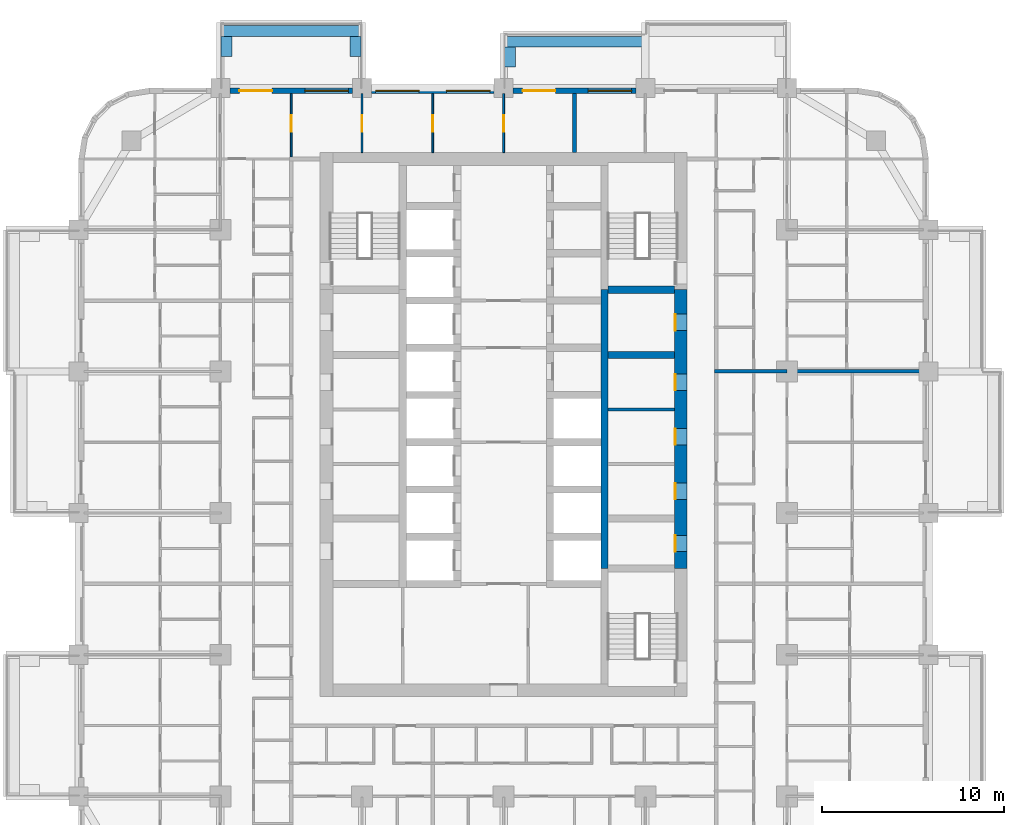
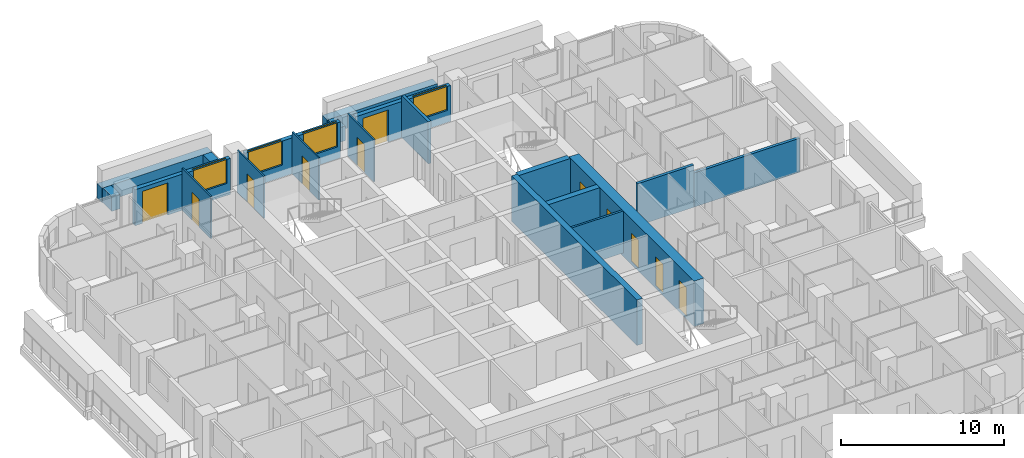
# One storey, part 12 of 18: 20 walls, 11 doors, 4 windows, 15 openings.
"""IFC4 building model written with IfcOpenShell, lengths in metres."""

from ifc_helpers import new_model, si_unit, direction, frame, frame_2d, origin, place, context, subcontext, project, spatial, rectangle, extrude, material, layer, layer_set, type_object, element, fill, save


model = new_model("IFC4")

# Units and contexts
model_context = context("Model", 3, precision=1e-05, world=origin(), true_north=direction((0.0, 1.0)))
body_context = subcontext(model_context, "Body", "Model", "MODEL_VIEW")
ifc_project = project(units=[si_unit("LENGTHUNIT", "METRE"), si_unit("AREAUNIT", "SQUARE_METRE"), si_unit("VOLUMEUNIT", "CUBIC_METRE"), si_unit("PLANEANGLEUNIT", "RADIAN"), si_unit("MASSUNIT", "GRAM", prefix="KILO")], contexts=[model_context])

# Site, building, storey
site_placement = place(None, origin())
site = spatial("IfcSite", under=ifc_project, at=site_placement, CompositionType="ELEMENT")
building_placement = place(site_placement, origin())
building = spatial("IfcBuilding", under=site, at=building_placement, Name="Ludao Terraces", CompositionType="ELEMENT")
storey_placement = place(building_placement, frame((0.0, 0.0, 29.699951171875)))
storey = spatial("IfcBuildingStorey", under=building, at=storey_placement, Name="L07", CompositionType="ELEMENT", Elevation=29.699951171875)

# Wall, openings, doors
ifc_material_1 = material(Name="Concrete C70", Category="concrete")
ifc_layer_1 = layer(ifc_material_1, 0.699951171875)
ifc_layer_set_1 = layer_set([ifc_layer_1], Name="Core wall 700 C70")
wall_type_1 = type_object("IfcWallType", Name="Core wall 700 C70", PredefinedType="SOLIDWALL", material=ifc_layer_set_1)
wall_1_placement = place(storey_placement, frame((94.75, 61.949951171875, -0.25), z_axis=(0.0, 0.0, 1.0), x_axis=(0.0, 1.0, 0.0)))
wall_1 = element("IfcWall", 1, at=wall_1_placement, inside=storey, type_object=wall_type_1, Name="Core wall L07 outer-E", PredefinedType="SOLIDWALL", context=body_context, shape_type="SweptSolid", body=[
    extrude(rectangle(XDim=15.35009765625, YDim=0.699951171875, at=frame_2d((7.675048828125, 0.0))), origin(), (0.0, 0.0, 1.0), 3.400146484375),
])
opening_1_placement = place(wall_1_placement, frame((0.925048828125, 0.0, 0.25)))
opening_1 = element("IfcOpeningElement", 2, at=opening_1_placement, cuts=wall_1, Name="Opening R02-078", PredefinedType="OPENING", context=body_context, shape_type="SweptSolid", body=[
    extrude(rectangle(XDim=0.89990234375, YDim=2.10009765625, at=frame_2d((0.449951171875, 1.050048828125))), frame((0.0, 0.35986328125, 0.0), z_axis=(0.0, -1.0, 0.0), x_axis=(1.0, 0.0, 0.0)), (0.0, 0.0, 1.0), 0.719970703125),
])
opening_2_placement = place(wall_1_placement, frame((3.800048828125, 0.0, 0.25)))
opening_2 = element("IfcOpeningElement", 3, at=opening_2_placement, cuts=wall_1, Name="Opening R02-087", PredefinedType="OPENING", context=body_context, shape_type="SweptSolid", body=[
    extrude(rectangle(XDim=0.89990234375, YDim=2.10009765625, at=frame_2d((0.449951171875, 1.050048828125))), frame((0.0, 0.35986328125, 0.0), z_axis=(0.0, -1.0, 0.0), x_axis=(1.0, 0.0, 0.0)), (0.0, 0.0, 1.0), 0.719970703125),
])
opening_3_placement = place(wall_1_placement, frame((6.800048828125, 0.0, 0.25)))
opening_3 = element("IfcOpeningElement", 4, at=opening_3_placement, cuts=wall_1, Name="Opening R02-099", PredefinedType="OPENING", context=body_context, shape_type="SweptSolid", body=[
    extrude(rectangle(XDim=0.89990234375, YDim=2.10009765625, at=frame_2d((0.449951171875, 1.050048828125))), frame((0.0, 0.35986328125, 0.0), z_axis=(0.0, -1.0, 0.0), x_axis=(1.0, 0.0, 0.0)), (0.0, 0.0, 1.0), 0.719970703125),
])
opening_4_placement = place(wall_1_placement, frame((9.800048828125, 0.0, 0.25)))
opening_4 = element("IfcOpeningElement", 5, at=opening_4_placement, cuts=wall_1, Name="Opening R02-109", PredefinedType="OPENING", context=body_context, shape_type="SweptSolid", body=[
    extrude(rectangle(XDim=0.89990234375, YDim=2.10009765625, at=frame_2d((0.449951171875, 1.050048828125))), frame((0.0, 0.35986328125, 0.0), z_axis=(0.0, -1.0, 0.0), x_axis=(1.0, 0.0, 0.0)), (0.0, 0.0, 1.0), 0.719970703125),
])
opening_5_placement = place(wall_1_placement, frame((13.10009765625, 0.0, 0.25)))
opening_5 = element("IfcOpeningElement", 6, at=opening_5_placement, cuts=wall_1, Name="Opening R02-121", PredefinedType="OPENING", context=body_context, shape_type="SweptSolid", body=[
    extrude(rectangle(XDim=0.89990234375, YDim=2.10009765625, at=frame_2d((0.449951171875, 1.050048828125))), frame((0.0, 0.35986328125, 0.0), z_axis=(0.0, -1.0, 0.0), x_axis=(1.0, 0.0, 0.0)), (0.0, 0.0, 1.0), 0.719970703125),
])
ifc_material_2 = material(Name="Steel Q235", Category="steel")
door_type_1 = type_object("IfcDoorType", Name="INT Riser door 900", OperationType="SINGLE_SWING_LEFT", PredefinedType="DOOR", material=ifc_material_2)
door_1_placement = place(opening_1_placement, origin())
door_1 = element("IfcDoor", 7, at=door_1_placement, inside=storey, type_object=door_type_1, Name="DOOR 078", OperationType="SINGLE_SWING_RIGHT", OverallHeight=2.10009765625, OverallWidth=0.89990234375, PredefinedType="DOOR", context=body_context, shape_type="SweptSolid", body=[
    extrude(rectangle(XDim=0.89990234375, YDim=2.10009765625, at=frame_2d((0.449951171875, 1.050048828125))), frame((0.0, 0.3349609375, 0.0), z_axis=(0.0, -1.0, 0.0), x_axis=(1.0, 0.0, 0.0)), (0.0, 0.0, 1.0), 0.050048828125),
])
fill(opening_1, door_1)
door_2_placement = place(opening_5_placement, origin())
door_2 = element("IfcDoor", 8, at=door_2_placement, inside=storey, type_object=door_type_1, Name="DOOR 121", OperationType="SINGLE_SWING_LEFT", OverallHeight=2.10009765625, OverallWidth=0.89990234375, PredefinedType="DOOR", context=body_context, shape_type="SweptSolid", body=[
    extrude(rectangle(XDim=0.89990234375, YDim=2.10009765625, at=frame_2d((0.449951171875, 1.050048828125))), frame((0.0, 0.3349609375, 0.0), z_axis=(0.0, -1.0, 0.0), x_axis=(1.0, 0.0, 0.0)), (0.0, 0.0, 1.0), 0.050048828125),
])
fill(opening_5, door_2)
ifc_material_3 = material(Name="Timber door leaf", Category="wood")
door_type_2 = type_object("IfcDoorType", Name="INT Room door 900", OperationType="SINGLE_SWING_LEFT", PredefinedType="DOOR", material=ifc_material_3)
door_3_placement = place(opening_2_placement, origin())
door_3 = element("IfcDoor", 9, at=door_3_placement, inside=storey, type_object=door_type_2, Name="DOOR 087", OperationType="SINGLE_SWING_LEFT", OverallHeight=2.10009765625, OverallWidth=0.89990234375, PredefinedType="DOOR", context=body_context, shape_type="SweptSolid", body=[
    extrude(rectangle(XDim=0.89990234375, YDim=2.10009765625, at=frame_2d((0.449951171875, 1.050048828125))), frame((0.0, 0.3349609375, 0.0), z_axis=(0.0, -1.0, 0.0), x_axis=(1.0, 0.0, 0.0)), (0.0, 0.0, 1.0), 0.050048828125),
])
fill(opening_2, door_3)
door_4_placement = place(opening_3_placement, origin())
door_4 = element("IfcDoor", 10, at=door_4_placement, inside=storey, type_object=door_type_2, Name="DOOR 099", OperationType="SINGLE_SWING_LEFT", OverallHeight=2.10009765625, OverallWidth=0.89990234375, PredefinedType="DOOR", context=body_context, shape_type="SweptSolid", body=[
    extrude(rectangle(XDim=0.89990234375, YDim=2.10009765625, at=frame_2d((0.449951171875, 1.050048828125))), frame((0.0, 0.3349609375, 0.0), z_axis=(0.0, -1.0, 0.0), x_axis=(1.0, 0.0, 0.0)), (0.0, 0.0, 1.0), 0.050048828125),
])
fill(opening_3, door_4)
door_5_placement = place(opening_4_placement, origin())
door_5 = element("IfcDoor", 11, at=door_5_placement, inside=storey, type_object=door_type_2, Name="DOOR 109", OperationType="SINGLE_SWING_RIGHT", OverallHeight=2.10009765625, OverallWidth=0.89990234375, PredefinedType="DOOR", context=body_context, shape_type="SweptSolid", body=[
    extrude(rectangle(XDim=0.89990234375, YDim=2.10009765625, at=frame_2d((0.449951171875, 1.050048828125))), frame((0.0, 0.3349609375, 0.0), z_axis=(0.0, -1.0, 0.0), x_axis=(1.0, 0.0, 0.0)), (0.0, 0.0, 1.0), 0.050048828125),
])
fill(opening_4, door_5)

# Walls
ifc_material_4 = material(Name="Concrete C40", Category="concrete")
ifc_layer_2 = layer(ifc_material_4, 0.60009765625)
ifc_layer_set_2 = layer_set([ifc_layer_2], Name="ENV Planter trough 600")
wall_type_2 = type_object("IfcWallType", Name="ENV Planter trough 600", PredefinedType="USERDEFINED", material=ifc_layer_set_2)
wall_2_placement = place(storey_placement, frame((69.39990234375, 91.550048828125, 0.0), z_axis=(0.0, 0.0, 1.0), x_axis=(1.0, 0.0, 0.0)))
element("IfcWall", 12, at=wall_2_placement, inside=storey, type_object=wall_type_2, Name="PL-L07-N1", ObjectType="PLANTER", PredefinedType="USERDEFINED", context=body_context, shape_type="SweptSolid", body=[
    extrude(rectangle(XDim=7.800048828125, YDim=0.60009765625, at=frame_2d((3.89990234375, 0.0))), origin(), (0.0, 0.0, 1.0), 1.10009765625),
])
for number, where, z_axis, x_axis, name in (
    (13, (69.75, 91.25, 0.0), (0.0, 0.0, 1.0), (0.0, -1.0, 0.0), "PL-L07-N1-SA"),
    (14, (76.85009765625, 91.25, 0.0), (0.0, 0.0, 1.0), (0.0, -1.0, 0.0), "PL-L07-N1-SB"),
):
    element("IfcWall", number, at=place(storey_placement, frame(where, z_axis=z_axis, x_axis=x_axis)), inside=storey, type_object=wall_type_2, Name=name, ObjectType="PLANTER", PredefinedType="USERDEFINED", context=body_context, shape_type="SweptSolid", body=[
        extrude(rectangle(XDim=1.10009765625, YDim=0.60009765625, at=frame_2d((0.550048828125, 0.0))), origin(), (0.0, 0.0, 1.0), 1.10009765625),
    ])
wall_3_placement = place(storey_placement, frame((85.0, 90.949951171875, 0.0), z_axis=(0.0, 0.0, 1.0), x_axis=(1.0, 0.0, 0.0)))
element("IfcWall", 15, at=wall_3_placement, inside=storey, type_object=wall_type_2, Name="PL-L07-N3", ObjectType="PLANTER", PredefinedType="USERDEFINED", context=body_context, shape_type="SweptSolid", body=[
    extrude(rectangle(XDim=7.800048828125, YDim=0.60009765625, at=frame_2d((3.89990234375, 0.0))), origin(), (0.0, 0.0, 1.0), 1.10009765625),
])
wall_4_placement = place(storey_placement, frame((85.35009765625, 90.64990234375, 0.0), z_axis=(0.0, 0.0, 1.0), x_axis=(0.0, -1.0, 0.0)))
element("IfcWall", 16, at=wall_4_placement, inside=storey, type_object=wall_type_2, Name="PL-L07-N3-SA", ObjectType="PLANTER", PredefinedType="USERDEFINED", context=body_context, shape_type="SweptSolid", body=[
    extrude(rectangle(XDim=1.099853515625, YDim=0.60009765625, at=frame_2d((0.5498046875, 0.0))), origin(), (0.0, 0.0, 1.0), 1.10009765625),
])

# Wall, openings, door, window
ifc_material_5 = material(Name="Granite cladding", Category="masonry")
ifc_layer_3 = layer(ifc_material_5, 0.0400390625, Category="stone")
ifc_material_6 = material(Name="Mineral wool")
ifc_layer_4 = layer(ifc_material_6, 0.06005859375)
ifc_layer_5 = layer(ifc_material_4, 0.199951171875, Category="concrete")
ifc_layer_set_3 = layer_set([ifc_layer_3, ifc_layer_4, ifc_layer_5], Name="ENV Stone-clad wall 300")
wall_type_3 = type_object("IfcWallType", Name="ENV Stone-clad wall 300", PredefinedType="SOLIDWALL", material=ifc_layer_set_3)
wall_5_placement = place(storey_placement, frame((69.925048828125, 88.25, 0.0), z_axis=(0.0, 0.0, 1.0), x_axis=(1.0, 0.0, 0.0)))
wall_5 = element("IfcWall", 17, at=wall_5_placement, inside=storey, type_object=wall_type_3, Name="EW-L07-N2", PredefinedType="SOLIDWALL", context=body_context, shape_type="SweptSolid", body=[
    extrude(rectangle(XDim=6.75, YDim=0.300048828125, at=frame_2d((3.375, 0.0))), origin(), (0.0, 0.0, 1.0), 2.699951171875),
])
opening_6_placement = place(wall_5_placement, frame((0.52490234375, 0.0, 0.0)))
opening_6 = element("IfcOpeningElement", 18, at=opening_6_placement, cuts=wall_5, Name="Opening BD", PredefinedType="OPENING", context=body_context, shape_type="SweptSolid", body=[
    extrude(rectangle(XDim=1.800048828125, YDim=2.39990234375, at=frame_2d((0.89990234375, 1.199951171875))), frame((0.0, 0.16015625, 0.0), z_axis=(0.0, -1.0, 0.0), x_axis=(1.0, 0.0, 0.0)), (0.0, 0.0, 1.0), 0.320068359375),
])
opening_7_placement = place(wall_5_placement, frame((4.125, 0.0, 0.89990234375)))
opening_7 = element("IfcOpeningElement", 19, at=opening_7_placement, cuts=wall_5, Name="Opening W1", PredefinedType="OPENING", context=body_context, shape_type="SweptSolid", body=[
    extrude(rectangle(XDim=2.39990234375, YDim=1.800048828125, at=frame_2d((1.199951171875, 0.89990234375))), frame((0.0, 0.16015625, 0.0), z_axis=(0.0, -1.0, 0.0), x_axis=(1.0, 0.0, 0.0)), (0.0, 0.0, 1.0), 0.320068359375),
])
ifc_material_7 = material(Name="Aluminium glazed door", Category="aluminium")
ifc_layer_6 = layer(ifc_material_7, 0.06005859375)
ifc_layer_set_4 = layer_set([ifc_layer_6], Name="ENV Balcony door BD 1800x2400")
door_type_3 = type_object("IfcDoorType", Name="ENV Balcony door BD 1800x2400", OperationType="DOUBLE_DOOR_SINGLE_SWING", PredefinedType="DOOR", material=ifc_layer_set_4)
door_6_placement = place(opening_6_placement, origin())
door_6 = element("IfcDoor", 20, at=door_6_placement, inside=storey, type_object=door_type_3, Name="BD-L07-N2-1", OperationType="DOUBLE_DOOR_SINGLE_SWING", OverallHeight=2.39990234375, OverallWidth=1.800048828125, PredefinedType="DOOR", context=body_context, shape_type="SweptSolid", body=[
    extrude(rectangle(XDim=1.800048828125, YDim=2.39990234375, at=frame_2d((0.89990234375, 1.199951171875))), frame((0.0, 0.02490234375, 0.0), z_axis=(0.0, -1.0, 0.0), x_axis=(1.0, 0.0, 0.0)), (0.0, 0.0, 1.0), 0.050048828125),
])
fill(opening_6, door_6)
ifc_material_8 = material(Name="Clear glass in aluminium frame", Category="aluminium")
ifc_layer_7 = layer(ifc_material_8, 0.06005859375)
ifc_layer_set_5 = layer_set([ifc_layer_7], Name="ENV Window W1 2400x1800")
window_type = type_object("IfcWindowType", Name="ENV Window W1 2400x1800", PartitioningType="DOUBLE_PANEL_VERTICAL", PredefinedType="WINDOW", material=ifc_layer_set_5)
window_1_placement = place(opening_7_placement, origin())
window_1 = element("IfcWindow", 21, at=window_1_placement, inside=storey, type_object=window_type, Name="W-L07-N2-2", OverallHeight=1.800048828125, OverallWidth=2.39990234375, PartitioningType="DOUBLE_PANEL_VERTICAL", PredefinedType="WINDOW", context=body_context, shape_type="SweptSolid", body=[
    extrude(rectangle(XDim=2.39990234375, YDim=1.800048828125, at=frame_2d((1.199951171875, 0.89990234375))), frame((0.0, 0.030029296875, 0.0), z_axis=(0.0, -1.0, 0.0), x_axis=(1.0, 0.0, 0.0)), (0.0, 0.0, 1.0), 0.06005859375),
])
fill(opening_7, window_1)

# Wall, openings, windows
wall_6_placement = place(storey_placement, frame((77.72509765625, 88.25, 0.0), z_axis=(0.0, 0.0, 1.0), x_axis=(1.0, 0.0, 0.0)))
wall_6 = element("IfcWall", 22, at=wall_6_placement, inside=storey, type_object=wall_type_3, Name="EW-L07-N3", PredefinedType="SOLIDWALL", context=body_context, shape_type="SweptSolid", body=[
    extrude(rectangle(XDim=6.75, YDim=0.300048828125, at=frame_2d((3.375, 0.0))), origin(), (0.0, 0.0, 1.0), 2.699951171875),
])
opening_8_placement = place(wall_6_placement, frame((0.22509765625, 0.0, 0.89990234375)))
opening_8 = element("IfcOpeningElement", 23, at=opening_8_placement, cuts=wall_6, Name="Opening W1", PredefinedType="OPENING", context=body_context, shape_type="SweptSolid", body=[
    extrude(rectangle(XDim=2.39990234375, YDim=1.800048828125, at=frame_2d((1.199951171875, 0.89990234375))), frame((0.0, 0.16015625, 0.0), z_axis=(0.0, -1.0, 0.0), x_axis=(1.0, 0.0, 0.0)), (0.0, 0.0, 1.0), 0.320068359375),
])
opening_9_placement = place(wall_6_placement, frame((4.125, 0.0, 0.89990234375)))
opening_9 = element("IfcOpeningElement", 24, at=opening_9_placement, cuts=wall_6, Name="Opening W1", PredefinedType="OPENING", context=body_context, shape_type="SweptSolid", body=[
    extrude(rectangle(XDim=2.39990234375, YDim=1.800048828125, at=frame_2d((1.199951171875, 0.89990234375))), frame((0.0, 0.16015625, 0.0), z_axis=(0.0, -1.0, 0.0), x_axis=(1.0, 0.0, 0.0)), (0.0, 0.0, 1.0), 0.320068359375),
])
window_2_placement = place(opening_8_placement, origin())
window_2 = element("IfcWindow", 25, at=window_2_placement, inside=storey, type_object=window_type, Name="W-L07-N3-1", OverallHeight=1.800048828125, OverallWidth=2.39990234375, PartitioningType="DOUBLE_PANEL_VERTICAL", PredefinedType="WINDOW", context=body_context, shape_type="SweptSolid", body=[
    extrude(rectangle(XDim=2.39990234375, YDim=1.800048828125, at=frame_2d((1.199951171875, 0.89990234375))), frame((0.0, 0.030029296875, 0.0), z_axis=(0.0, -1.0, 0.0), x_axis=(1.0, 0.0, 0.0)), (0.0, 0.0, 1.0), 0.06005859375),
])
fill(opening_8, window_2)
window_3_placement = place(opening_9_placement, origin())
window_3 = element("IfcWindow", 26, at=window_3_placement, inside=storey, type_object=window_type, Name="W-L07-N3-2", OverallHeight=1.800048828125, OverallWidth=2.39990234375, PartitioningType="DOUBLE_PANEL_VERTICAL", PredefinedType="WINDOW", context=body_context, shape_type="SweptSolid", body=[
    extrude(rectangle(XDim=2.39990234375, YDim=1.800048828125, at=frame_2d((1.199951171875, 0.89990234375))), frame((0.0, 0.030029296875, 0.0), z_axis=(0.0, -1.0, 0.0), x_axis=(1.0, 0.0, 0.0)), (0.0, 0.0, 1.0), 0.06005859375),
])
fill(opening_9, window_3)

# Wall, openings, door, window
wall_7_placement = place(storey_placement, frame((85.52490234375, 88.25, 0.0), z_axis=(0.0, 0.0, 1.0), x_axis=(1.0, 0.0, 0.0)))
wall_7 = element("IfcWall", 27, at=wall_7_placement, inside=storey, type_object=wall_type_3, Name="EW-L07-N4", PredefinedType="SOLIDWALL", context=body_context, shape_type="SweptSolid", body=[
    extrude(rectangle(XDim=6.75, YDim=0.300048828125, at=frame_2d((3.375, 0.0))), origin(), (0.0, 0.0, 1.0), 2.699951171875),
])
opening_10_placement = place(wall_7_placement, frame((0.52490234375, 0.0, 0.0)))
opening_10 = element("IfcOpeningElement", 28, at=opening_10_placement, cuts=wall_7, Name="Opening BD", PredefinedType="OPENING", context=body_context, shape_type="SweptSolid", body=[
    extrude(rectangle(XDim=1.800048828125, YDim=2.39990234375, at=frame_2d((0.89990234375, 1.199951171875))), frame((0.0, 0.16015625, 0.0), z_axis=(0.0, -1.0, 0.0), x_axis=(1.0, 0.0, 0.0)), (0.0, 0.0, 1.0), 0.320068359375),
])
opening_11_placement = place(wall_7_placement, frame((4.125, 0.0, 0.89990234375)))
opening_11 = element("IfcOpeningElement", 29, at=opening_11_placement, cuts=wall_7, Name="Opening W1", PredefinedType="OPENING", context=body_context, shape_type="SweptSolid", body=[
    extrude(rectangle(XDim=2.39990234375, YDim=1.800048828125, at=frame_2d((1.199951171875, 0.89990234375))), frame((0.0, 0.16015625, 0.0), z_axis=(0.0, -1.0, 0.0), x_axis=(1.0, 0.0, 0.0)), (0.0, 0.0, 1.0), 0.320068359375),
])
door_7_placement = place(opening_10_placement, origin())
door_7 = element("IfcDoor", 30, at=door_7_placement, inside=storey, type_object=door_type_3, Name="BD-L07-N4-1", OperationType="DOUBLE_DOOR_SINGLE_SWING", OverallHeight=2.39990234375, OverallWidth=1.800048828125, PredefinedType="DOOR", context=body_context, shape_type="SweptSolid", body=[
    extrude(rectangle(XDim=1.800048828125, YDim=2.39990234375, at=frame_2d((0.89990234375, 1.199951171875))), frame((0.0, 0.02490234375, 0.0), z_axis=(0.0, -1.0, 0.0), x_axis=(1.0, 0.0, 0.0)), (0.0, 0.0, 1.0), 0.050048828125),
])
fill(opening_10, door_7)
window_4_placement = place(opening_11_placement, origin())
window_4 = element("IfcWindow", 31, at=window_4_placement, inside=storey, type_object=window_type, Name="W-L07-N4-2", OverallHeight=1.800048828125, OverallWidth=2.39990234375, PartitioningType="DOUBLE_PANEL_VERTICAL", PredefinedType="WINDOW", context=body_context, shape_type="SweptSolid", body=[
    extrude(rectangle(XDim=2.39990234375, YDim=1.800048828125, at=frame_2d((1.199951171875, 0.89990234375))), frame((0.0, 0.030029296875, 0.0), z_axis=(0.0, -1.0, 0.0), x_axis=(1.0, 0.0, 0.0)), (0.0, 0.0, 1.0), 0.06005859375),
])
fill(opening_11, window_4)

# Wall
ifc_material_9 = material(Name="Fire-rated gypsum plasterboard", Category="gypsum")
ifc_layer_8 = layer(ifc_material_9, 0.012451171875, Category="gypsum")
ifc_layer_9 = layer(ifc_material_6, 0.10009765625, Name="insulation")
ifc_layer_10 = layer(ifc_material_2, 0.02490234375, Name="stud")
ifc_layer_11 = layer(ifc_material_9, 0.012451171875, Category="gypsum")
ifc_layer_set_6 = layer_set([ifc_layer_8, ifc_layer_9, ifc_layer_10, ifc_layer_11], Name="INT Core partition 150")
wall_type_4 = type_object("IfcWallType", Name="INT Core partition 150", PredefinedType="PARTITIONING", material=ifc_layer_set_6)
wall_8_placement = place(storey_placement, frame((90.75, 70.699951171875, 0.0), z_axis=(0.0, 0.0, 1.0), x_axis=(1.0, 0.0, 0.0)))
element("IfcWall", 32, at=wall_8_placement, inside=storey, type_object=wall_type_4, Name="PW-L07-PW052", PredefinedType="PARTITIONING", context=body_context, shape_type="SweptSolid", body=[
    extrude(rectangle(XDim=3.650146484375, YDim=0.14990234375, at=frame_2d((1.8251953125, 0.0))), origin(), (0.0, 0.0, 1.0), 3.150146484375),
])

# Wall, opening, door
ifc_material_10 = material(Name="Gypsum plasterboard", Category="gypsum")
ifc_layer_12 = layer(ifc_material_10, 0.012451171875, Category="gypsum")
ifc_layer_13 = layer(ifc_material_6, 0.06005859375, Name="insulation")
ifc_layer_14 = layer(ifc_material_2, 0.014892578125, Name="stud")
ifc_layer_15 = layer(ifc_material_10, 0.012451171875, Category="gypsum")
ifc_layer_set_7 = layer_set([ifc_layer_12, ifc_layer_13, ifc_layer_14, ifc_layer_15], Name="INT Partition 100")
wall_type_5 = type_object("IfcWallType", Name="INT Partition 100", PredefinedType="PARTITIONING", material=ifc_layer_set_7)
wall_9_placement = place(storey_placement, frame((73.300048828125, 84.60009765625, 0.0), z_axis=(0.0, 0.0, 1.0), x_axis=(0.0, 1.0, 0.0)))
wall_9 = element("IfcWall", 33, at=wall_9_placement, inside=storey, type_object=wall_type_5, Name="PW-L07-PW090", PredefinedType="PARTITIONING", context=body_context, shape_type="SweptSolid", body=[
    extrude(rectangle(XDim=3.5, YDim=0.10009765625, at=frame_2d((1.75, 0.0))), origin(), (0.0, 0.0, 1.0), 3.150146484375),
])
opening_12_placement = place(wall_9_placement, frame((1.39990234375, 0.0, 0.0)))
opening_12 = element("IfcOpeningElement", 34, at=opening_12_placement, cuts=wall_9, Name="Opening R02-159", PredefinedType="OPENING", context=body_context, shape_type="SweptSolid", body=[
    extrude(rectangle(XDim=0.89990234375, YDim=2.10009765625, at=frame_2d((0.449951171875, 1.050048828125))), frame((0.0, 0.06005859375, 0.0), z_axis=(0.0, -1.0, 0.0), x_axis=(1.0, 0.0, 0.0)), (0.0, 0.0, 1.0), 0.1201171875),
])
door_8_placement = place(opening_12_placement, origin())
door_8 = element("IfcDoor", 35, at=door_8_placement, inside=storey, type_object=door_type_2, Name="DOOR 159", OperationType="SINGLE_SWING_LEFT", OverallHeight=2.10009765625, OverallWidth=0.89990234375, PredefinedType="DOOR", context=body_context, shape_type="SweptSolid", body=[
    extrude(rectangle(XDim=0.89990234375, YDim=2.10009765625, at=frame_2d((0.449951171875, 1.050048828125))), frame((0.0, 0.02490234375, 0.0), z_axis=(0.0, -1.0, 0.0), x_axis=(1.0, 0.0, 0.0)), (0.0, 0.0, 1.0), 0.050048828125),
])
fill(opening_12, door_8)

wall_10_placement = place(storey_placement, frame((77.199951171875, 84.85009765625, 0.0), z_axis=(0.0, 0.0, 1.0), x_axis=(0.0, 1.0, 0.0)))
wall_10 = element("IfcWall", 36, at=wall_10_placement, inside=storey, type_object=wall_type_5, Name="PW-L07-PW093", PredefinedType="PARTITIONING", context=body_context, shape_type="SweptSolid", body=[
    extrude(rectangle(XDim=3.25, YDim=0.10009765625, at=frame_2d((1.625, 0.0))), origin(), (0.0, 0.0, 1.0), 3.150146484375),
])
opening_13_placement = place(wall_10_placement, frame((1.14990234375, 0.0, 0.0)))
opening_13 = element("IfcOpeningElement", 37, at=opening_13_placement, cuts=wall_10, Name="Opening R02-160", PredefinedType="OPENING", context=body_context, shape_type="SweptSolid", body=[
    extrude(rectangle(XDim=0.89990234375, YDim=2.10009765625, at=frame_2d((0.449951171875, 1.050048828125))), frame((0.0, 0.06005859375, 0.0), z_axis=(0.0, -1.0, 0.0), x_axis=(1.0, 0.0, 0.0)), (0.0, 0.0, 1.0), 0.1201171875),
])
door_9_placement = place(opening_13_placement, origin())
door_9 = element("IfcDoor", 38, at=door_9_placement, inside=storey, type_object=door_type_2, Name="DOOR 160", OperationType="SINGLE_SWING_RIGHT", OverallHeight=2.10009765625, OverallWidth=0.89990234375, PredefinedType="DOOR", context=body_context, shape_type="SweptSolid", body=[
    extrude(rectangle(XDim=0.89990234375, YDim=2.10009765625, at=frame_2d((0.449951171875, 1.050048828125))), frame((0.0, 0.02490234375, 0.0), z_axis=(0.0, -1.0, 0.0), x_axis=(1.0, 0.0, 0.0)), (0.0, 0.0, 1.0), 0.050048828125),
])
fill(opening_13, door_9)

wall_11_placement = place(storey_placement, frame((81.10009765625, 84.85009765625, 0.0), z_axis=(0.0, 0.0, 1.0), x_axis=(0.0, 1.0, 0.0)))
wall_11 = element("IfcWall", 39, at=wall_11_placement, inside=storey, type_object=wall_type_5, Name="PW-L07-PW099", PredefinedType="PARTITIONING", context=body_context, shape_type="SweptSolid", body=[
    extrude(rectangle(XDim=3.25, YDim=0.10009765625, at=frame_2d((1.625, 0.0))), origin(), (0.0, 0.0, 1.0), 3.150146484375),
])
opening_14_placement = place(wall_11_placement, frame((1.14990234375, 0.0, 0.0)))
opening_14 = element("IfcOpeningElement", 40, at=opening_14_placement, cuts=wall_11, Name="Opening R02-161", PredefinedType="OPENING", context=body_context, shape_type="SweptSolid", body=[
    extrude(rectangle(XDim=0.89990234375, YDim=2.10009765625, at=frame_2d((0.449951171875, 1.050048828125))), frame((0.0, 0.06005859375, 0.0), z_axis=(0.0, -1.0, 0.0), x_axis=(1.0, 0.0, 0.0)), (0.0, 0.0, 1.0), 0.1201171875),
])
door_10_placement = place(opening_14_placement, origin())
door_10 = element("IfcDoor", 41, at=door_10_placement, inside=storey, type_object=door_type_2, Name="DOOR 161", OperationType="SINGLE_SWING_RIGHT", OverallHeight=2.10009765625, OverallWidth=0.89990234375, PredefinedType="DOOR", context=body_context, shape_type="SweptSolid", body=[
    extrude(rectangle(XDim=0.89990234375, YDim=2.10009765625, at=frame_2d((0.449951171875, 1.050048828125))), frame((0.0, 0.02490234375, 0.0), z_axis=(0.0, -1.0, 0.0), x_axis=(1.0, 0.0, 0.0)), (0.0, 0.0, 1.0), 0.050048828125),
])
fill(opening_14, door_10)

wall_12_placement = place(storey_placement, frame((85.0, 84.85009765625, 0.0), z_axis=(0.0, 0.0, 1.0), x_axis=(0.0, 1.0, 0.0)))
wall_12 = element("IfcWall", 42, at=wall_12_placement, inside=storey, type_object=wall_type_5, Name="PW-L07-PW103", PredefinedType="PARTITIONING", context=body_context, shape_type="SweptSolid", body=[
    extrude(rectangle(XDim=3.25, YDim=0.10009765625, at=frame_2d((1.625, 0.0))), origin(), (0.0, 0.0, 1.0), 3.150146484375),
])
opening_15_placement = place(wall_12_placement, frame((1.14990234375, 0.0, 0.0)))
opening_15 = element("IfcOpeningElement", 43, at=opening_15_placement, cuts=wall_12, Name="Opening R02-162", PredefinedType="OPENING", context=body_context, shape_type="SweptSolid", body=[
    extrude(rectangle(XDim=0.89990234375, YDim=2.10009765625, at=frame_2d((0.449951171875, 1.050048828125))), frame((0.0, 0.06005859375, 0.0), z_axis=(0.0, -1.0, 0.0), x_axis=(1.0, 0.0, 0.0)), (0.0, 0.0, 1.0), 0.1201171875),
])
door_11_placement = place(opening_15_placement, origin())
door_11 = element("IfcDoor", 44, at=door_11_placement, inside=storey, type_object=door_type_2, Name="DOOR 162", OperationType="SINGLE_SWING_RIGHT", OverallHeight=2.10009765625, OverallWidth=0.89990234375, PredefinedType="DOOR", context=body_context, shape_type="SweptSolid", body=[
    extrude(rectangle(XDim=0.89990234375, YDim=2.10009765625, at=frame_2d((0.449951171875, 1.050048828125))), frame((0.0, 0.02490234375, 0.0), z_axis=(0.0, -1.0, 0.0), x_axis=(1.0, 0.0, 0.0)), (0.0, 0.0, 1.0), 0.050048828125),
])
fill(opening_15, door_11)

# Walls
ifc_material_11 = material(Name="Autoclaved aerated concrete block B06 A3.5", Category="concrete")
ifc_layer_16 = layer(ifc_material_11, 0.199951171875)
ifc_layer_set_8 = layer_set([ifc_layer_16], Name="INT Party wall 200")
wall_type_6 = type_object("IfcWallType", Name="INT Party wall 200", PredefinedType="PARTITIONING", material=ifc_layer_set_8)
wall_13_placement = place(storey_placement, frame((96.60009765625, 72.800048828125, 0.0), z_axis=(0.0, 0.0, 1.0), x_axis=(1.0, 0.0, 0.0)))
element("IfcWall", 45, at=wall_13_placement, inside=storey, type_object=wall_type_6, Name="PW-L07-PW056", PredefinedType="PARTITIONING", context=body_context, shape_type="SweptSolid", body=[
    extrude(rectangle(XDim=4.0, YDim=0.199951171875, at=frame_2d((2.0, 0.0))), origin(), (0.0, 0.0, 1.0), 3.150146484375),
])
wall_14_placement = place(storey_placement, frame((100.60009765625, 72.800048828125, 0.0), z_axis=(0.0, 0.0, 1.0), x_axis=(1.0, 0.0, 0.0)))
element("IfcWall", 46, at=wall_14_placement, inside=storey, type_object=wall_type_6, Name="PW-L07-PW056-2", PredefinedType="PARTITIONING", context=body_context, shape_type="SweptSolid", body=[
    extrude(rectangle(XDim=7.5, YDim=0.199951171875, at=frame_2d((3.75, 0.0))), origin(), (0.0, 0.0, 1.0), 2.550048828125),
])
wall_15_placement = place(storey_placement, frame((88.89990234375, 84.85009765625, 0.0), z_axis=(0.0, 0.0, 1.0), x_axis=(0.0, 1.0, 0.0)))
element("IfcWall", 47, at=wall_15_placement, inside=storey, type_object=wall_type_6, Name="PW-L07-PW107", PredefinedType="PARTITIONING", context=body_context, shape_type="SweptSolid", body=[
    extrude(rectangle(XDim=3.25, YDim=0.199951171875, at=frame_2d((1.625, 0.0))), origin(), (0.0, 0.0, 1.0), 3.150146484375),
])
ifc_material_12 = material(Name="Concrete C60", Category="concrete")
ifc_layer_17 = layer(ifc_material_12, 0.39990234375)
ifc_layer_set_9 = layer_set([ifc_layer_17], Name="Shaft wall 400 C60")
wall_type_7 = type_object("IfcWallType", Name="Shaft wall 400 C60", PredefinedType="SOLIDWALL", material=ifc_layer_set_9)
wall_16_placement = place(storey_placement, frame((90.550048828125, 61.949951171875, -0.25), z_axis=(0.0, 0.0, 1.0), x_axis=(0.0, 1.0, 0.0)))
element("IfcWall", 48, at=wall_16_placement, inside=storey, type_object=wall_type_7, Name="Core wall L07 back-E", PredefinedType="SOLIDWALL", context=body_context, shape_type="SweptSolid", body=[
    extrude(rectangle(XDim=15.35009765625, YDim=0.39990234375, at=frame_2d((7.675048828125, 0.0))), origin(), (0.0, 0.0, 1.0), 3.400146484375),
])
for number, where, z_axis, x_axis, name in (
    (49, (90.75, 73.699951171875, -0.25), (0.0, 0.0, 1.0), (1.0, 0.0, 0.0), "Core wall L07 riser-b-E"),
    (50, (90.75, 77.300048828125, -0.25), (0.0, 0.0, 1.0), (1.0, 0.0, 0.0), "Core wall L07 stair-E"),
):
    element("IfcWall", number, at=place(storey_placement, frame(where, z_axis=z_axis, x_axis=x_axis)), inside=storey, type_object=wall_type_7, Name=name, PredefinedType="SOLIDWALL", context=body_context, shape_type="SweptSolid", body=[
        extrude(rectangle(XDim=3.64990234375, YDim=0.39990234375, at=frame_2d((1.824951171875, 0.0))), origin(), (0.0, 0.0, 1.0), 3.400146484375),
    ])

save(model, "model.ifc")
